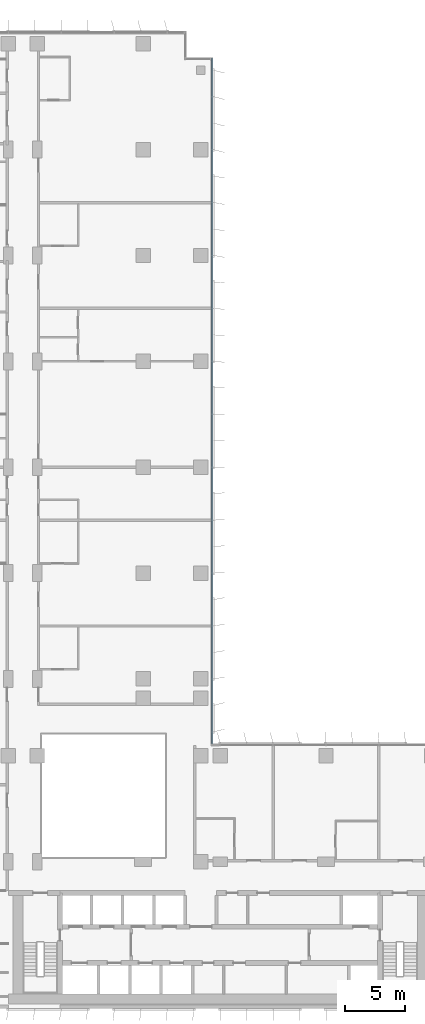
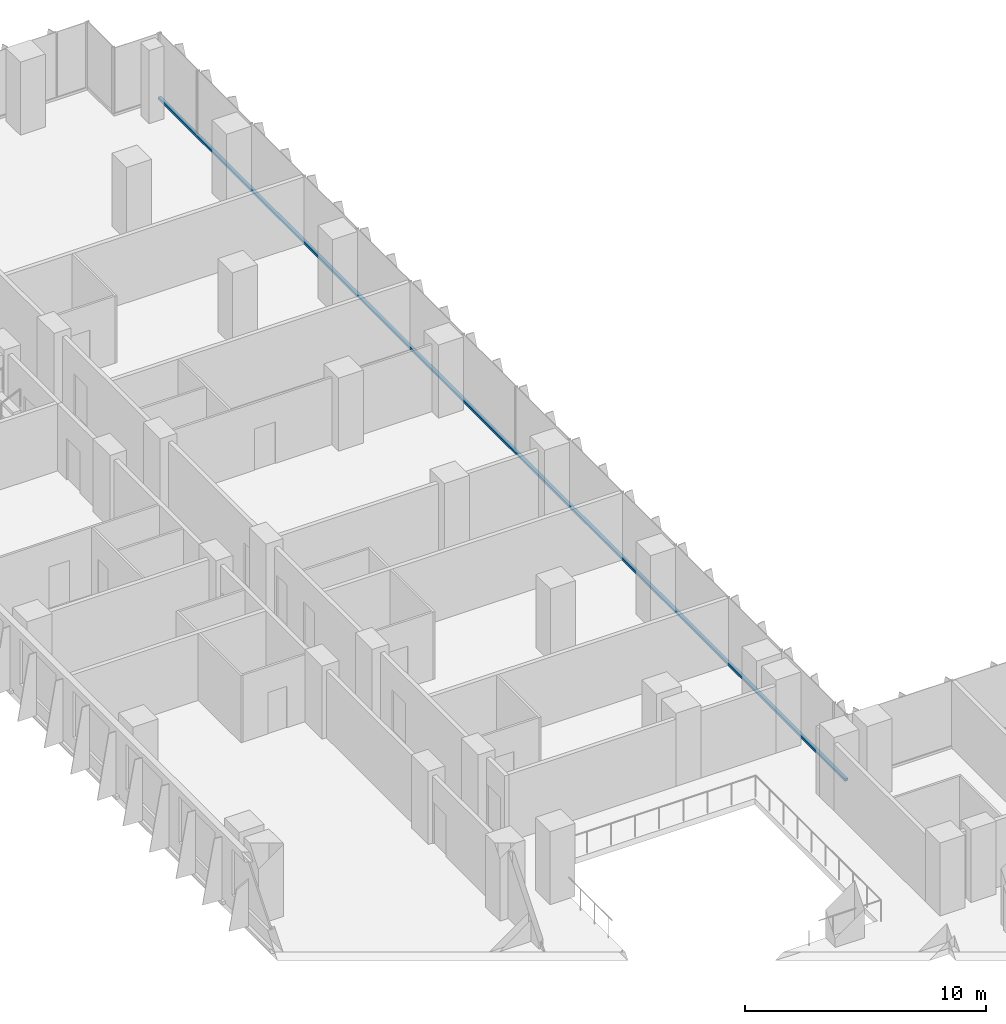
# One storey, part 6 of 22: 1 member, 1 element without a shape of its own.
"""IFC4 building model written with IfcOpenShell, lengths in metres."""

from ifc_helpers import new_model, si_unit, direction, frame, origin, origin_2d, place, context, subcontext, project, spatial, rectangle, extrude, material, material_profile, profile_set, type_object, element, aggregate, save


model = new_model("IFC4")

# Units and contexts
model_context = context("Model", 3, precision=1e-05, world=origin(), true_north=direction((0.0, 1.0)))
body_context = subcontext(model_context, "Body", "Model", "MODEL_VIEW")
ifc_project = project(units=[si_unit("LENGTHUNIT", "METRE"), si_unit("AREAUNIT", "SQUARE_METRE"), si_unit("VOLUMEUNIT", "CUBIC_METRE"), si_unit("PLANEANGLEUNIT", "RADIAN"), si_unit("MASSUNIT", "GRAM", prefix="KILO")], contexts=[model_context])

# Site, building, storey
site_placement = place(None, origin())
site = spatial("IfcSite", under=ifc_project, at=site_placement, CompositionType="ELEMENT")
building_placement = place(site_placement, origin())
building = spatial("IfcBuilding", under=site, at=building_placement, Name="Kemantara Hotel Tower", CompositionType="ELEMENT")
storey_placement = place(building_placement, frame((0.0, 0.0, 125.89990234375)))
storey = spatial("IfcBuildingStorey", under=building, at=storey_placement, Name="L30", CompositionType="ELEMENT", Elevation=125.89990234375)

# Curtain wall, member
ifc_material_1 = material(Name="Low-E tinted double insulated glass 36 mm", Category="glass")
curtain_wall_type = type_object("IfcCurtainWallType", Name="TOWER CURTAIN WALL, FRONT FACES", PredefinedType="USERDEFINED", material=ifc_material_1)
curtain_wall_placement = place(storey_placement, origin())
curtain_wall = element("IfcCurtainWall", 1, at=curtain_wall_placement, inside=storey, type_object=curtain_wall_type, Name="CW4 L30 T2-R14-1", ObjectType="TOWER CURTAIN WALL, FRONT FACES", PredefinedType="USERDEFINED")
ifc_material_2 = material(Name="Aluminium 6063-T6 bronze anodised", Category="aluminium")
ifc_material_profile = material_profile(ifc_material_2, rectangle(XDim=0.14990234375, YDim=0.1201171875, at=origin_2d()), Name="TOWER CURTAIN WALL, FRONT FACES TRANSOM")
ifc_profile_set = profile_set([ifc_material_profile], Name="Aluminium 6063-T6 bronze anodised")
member_type = type_object("IfcMemberType", Name="TOWER CURTAIN WALL, FRONT FACES TRANSOM", PredefinedType="USERDEFINED", material=ifc_profile_set)
member_placement = place(storey_placement, frame((26.72509765625, 22.0, 0.06005859375), z_axis=(0.0, 1.0, 0.0), x_axis=(-1.0, 0.0, 0.0)))
member = element("IfcMember", 2, at=member_placement, type_object=member_type, Name="CW4 sill transom T2-R14-1", ObjectType="TRANSOM", PredefinedType="USERDEFINED", context=body_context, shape_type="SweptSolid", body=[
    extrude(rectangle(XDim=0.14990234375, YDim=0.1201171875, at=origin_2d()), origin(), (0.0, 0.0, 1.0), 57.0),
])
aggregate(curtain_wall, [member])

save(model, "model.ifc")
